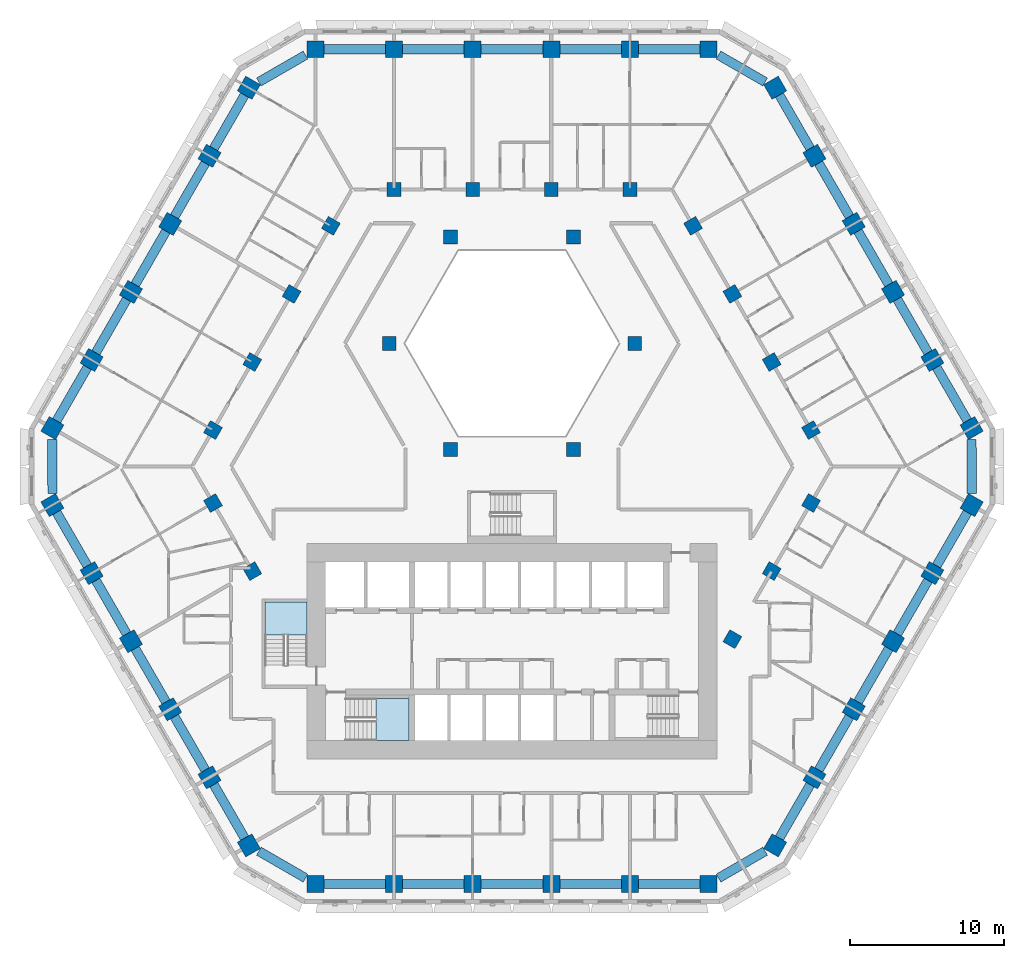
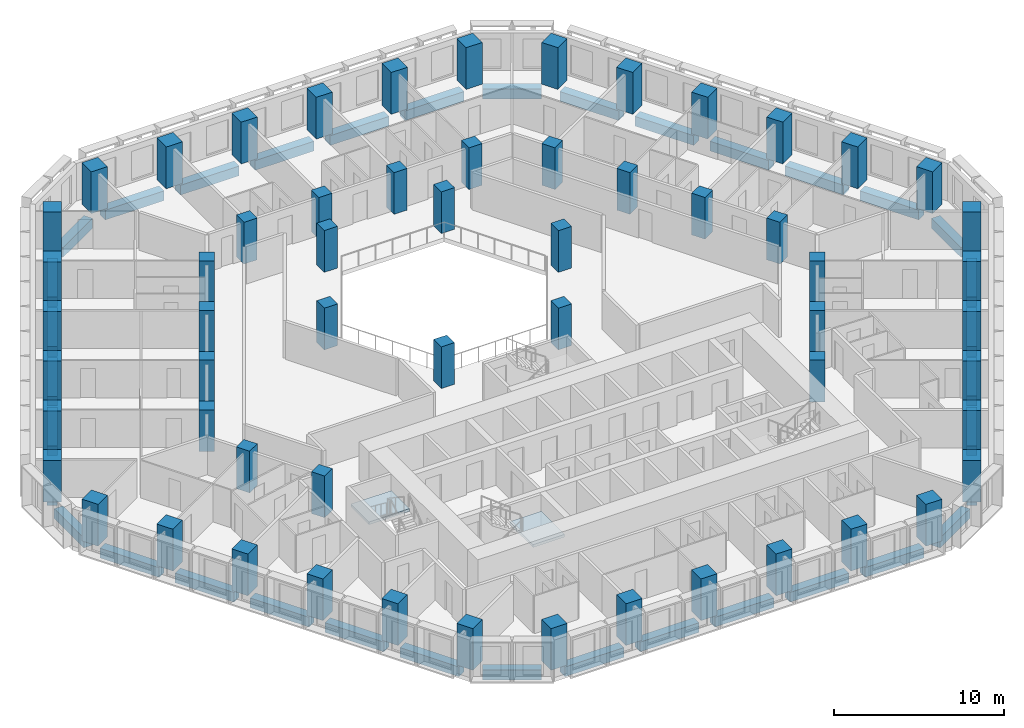
# One storey, part 1 of 21: 59 columns, 36 beams, 2 slabs, 2 elements without a shape of their own.
"""IFC4 building model written with IfcOpenShell, lengths in metres."""

from ifc_helpers import new_model, si_unit, direction, frame, origin, origin_2d, place, context, subcontext, project, spatial, polyline, rectangle, outline, extrude, material, layer, layer_set, material_profile, profile_set, type_object, element, aggregate, save


model = new_model("IFC4")

# Units and contexts
model_context = context("Model", 3, precision=1e-05, world=origin(), true_north=direction((0.0, 1.0)))
body_context = subcontext(model_context, "Body", "Model", "MODEL_VIEW")
ifc_project = project(units=[si_unit("LENGTHUNIT", "METRE"), si_unit("AREAUNIT", "SQUARE_METRE"), si_unit("VOLUMEUNIT", "CUBIC_METRE"), si_unit("PLANEANGLEUNIT", "RADIAN"), si_unit("MASSUNIT", "GRAM", prefix="KILO")], contexts=[model_context])

# Site, building, storey
site_placement = place(None, origin())
site = spatial("IfcSite", under=ifc_project, at=site_placement, CompositionType="ELEMENT")
building_placement = place(site_placement, origin())
building = spatial("IfcBuilding", under=site, at=building_placement, Name="Beryl Residences", CompositionType="ELEMENT")
storey_placement = place(building_placement, frame((0.0, 0.0, 29.39990234375)))
storey = spatial("IfcBuildingStorey", under=building, at=storey_placement, Name="L08", CompositionType="ELEMENT", Elevation=29.39990234375)

# Columns
ifc_material_1 = material(Name="Concrete C80/95", Category="concrete")
ifc_material_profile_1 = material_profile(ifc_material_1, rectangle(XDim=1.10009765625, YDim=1.10009765625, at=origin_2d()))
ifc_profile_set_1 = profile_set([ifc_material_profile_1], Name="Concrete C80/95")
column_type_1 = type_object("IfcColumnType", Name="C1 tube column 1100 x 1100 C80/95", PredefinedType="COLUMN", material=ifc_profile_set_1)
for number, where, z_axis, x_axis, name in (
    (1, (12.759033203125, 27.10009765625, 0.0), (0.0, 0.0, 1.0), (-1.0, 0.0, 0.0), "C1-N1 L08"),
    (2, (7.655029296875, 27.10009765625, 0.0), (0.0, 0.0, 1.0), (-1.0, 0.0, 0.0), "C1-N2 L08"),
    (3, (2.551025390625, 27.10009765625, 0.0), (0.0, 0.0, 1.0), (-1.0, 0.0, 0.0), "C1-N3 L08"),
    (4, (-2.552978515625, 27.10009765625, 0.0), (0.0, 0.0, 1.0), (-1.0, 0.0, 0.0), "C1-N4 L08"),
    (5, (-7.656982421875, 27.10009765625, 0.0), (0.0, 0.0, 1.0), (-1.0, 0.0, 0.0), "C1-N5 L08"),
    (6, (-12.760986328125, 27.10009765625, 0.0), (0.0, 0.0, 1.0), (-1.0, 0.0, 0.0), "C1-N6 L08"),
    (7, (-17.090087890625, 24.60009765625, 0.0), (0.0, 0.0, 1.0), (-0.499984884929, -0.866034130299, 0.0), "C1-NW1 L08"),
    (8, (-19.64208984375, 20.179931640625, 0.0), (0.0, 0.0, 1.0), (-0.499984884929, -0.866034130299, 0.0), "C1-NW2 L08"),
    (9, (-22.194091796875, 15.759033203125, 0.0), (0.0, 0.0, 1.0), (-0.499984884929, -0.866034130299, 0.0), "C1-NW3 L08"),
    (10, (-24.74609375, 11.339111328125, 0.0), (0.0, 0.0, 1.0), (-0.499984884929, -0.866034130299, 0.0), "C1-NW4 L08"),
    (11, (-27.298095703125, 6.9189453125, 0.0), (0.0, 0.0, 1.0), (-0.499984884929, -0.866034130299, 0.0), "C1-NW5 L08"),
    (12, (-29.84912109375, 2.4990234375, 0.0), (0.0, 0.0, 1.0), (-0.499984884929, -0.866034130299, 0.0), "C1-NW6 L08"),
    (13, (-29.847900390625, -2.5, 0.0), (0.0, 0.0, 1.0), (0.499984884929, -0.866034130299, 0.0), "C1-SW1 L08"),
    (14, (-27.297119140625, -6.9208984375, 0.0), (0.0, 0.0, 1.0), (0.499984884929, -0.866034130299, 0.0), "C1-SW2 L08"),
    (15, (-24.7451171875, -11.341064453125, 0.0), (0.0, 0.0, 1.0), (0.499984884929, -0.866034130299, 0.0), "C1-SW3 L08"),
    (16, (-22.193115234375, -15.760986328125, 0.0), (0.0, 0.0, 1.0), (0.499984884929, -0.866034130299, 0.0), "C1-SW4 L08"),
    (17, (-19.64111328125, -20.180908203125, 0.0), (0.0, 0.0, 1.0), (0.499984884929, -0.866034130299, 0.0), "C1-SW5 L08"),
    (18, (-17.089111328125, -24.60107421875, 0.0), (0.0, 0.0, 1.0), (0.499984884929, -0.866034130299, 0.0), "C1-SW6 L08"),
    (19, (-12.759033203125, -27.10009765625, 0.0), (0.0, 0.0, 1.0), (1.0, 0.0, 0.0), "C1-S1 L08"),
    (20, (-7.655029296875, -27.10009765625, 0.0), (0.0, 0.0, 1.0), (1.0, 0.0, 0.0), "C1-S2 L08"),
    (21, (-2.551025390625, -27.10009765625, 0.0), (0.0, 0.0, 1.0), (1.0, 0.0, 0.0), "C1-S3 L08"),
    (22, (2.552978515625, -27.10009765625, 0.0), (0.0, 0.0, 1.0), (1.0, 0.0, 0.0), "C1-S4 L08"),
    (23, (7.656982421875, -27.10009765625, 0.0), (0.0, 0.0, 1.0), (1.0, 0.0, 0.0), "C1-S5 L08"),
    (24, (12.760986328125, -27.10009765625, 0.0), (0.0, 0.0, 1.0), (1.0, 0.0, 0.0), "C1-S6 L08"),
    (25, (17.090087890625, -24.60009765625, 0.0), (0.0, 0.0, 1.0), (0.499984884929, 0.866034130299, 0.0), "C1-SE1 L08"),
    (26, (19.64208984375, -20.179931640625, 0.0), (0.0, 0.0, 1.0), (0.499984884929, 0.866034130299, 0.0), "C1-SE2 L08"),
    (27, (22.194091796875, -15.759033203125, 0.0), (0.0, 0.0, 1.0), (0.499984884929, 0.866034130299, 0.0), "C1-SE3 L08"),
    (28, (24.74609375, -11.339111328125, 0.0), (0.0, 0.0, 1.0), (0.499984884929, 0.866034130299, 0.0), "C1-SE4 L08"),
    (29, (27.298095703125, -6.9189453125, 0.0), (0.0, 0.0, 1.0), (0.499984884929, 0.866034130299, 0.0), "C1-SE5 L08"),
    (30, (29.84912109375, -2.4990234375, 0.0), (0.0, 0.0, 1.0), (0.499984884929, 0.866034130299, 0.0), "C1-SE6 L08"),
    (31, (29.847900390625, 2.5, 0.0), (0.0, 0.0, 1.0), (-0.499984884929, 0.866034130299, 0.0), "C1-NE1 L08"),
    (32, (27.297119140625, 6.9208984375, 0.0), (0.0, 0.0, 1.0), (-0.499984884929, 0.866034130299, 0.0), "C1-NE2 L08"),
    (33, (24.7451171875, 11.341064453125, 0.0), (0.0, 0.0, 1.0), (-0.499984884929, 0.866034130299, 0.0), "C1-NE3 L08"),
    (34, (22.193115234375, 15.760986328125, 0.0), (0.0, 0.0, 1.0), (-0.499984884929, 0.866034130299, 0.0), "C1-NE4 L08"),
    (35, (19.64111328125, 20.180908203125, 0.0), (0.0, 0.0, 1.0), (-0.499984884929, 0.866034130299, 0.0), "C1-NE5 L08"),
    (36, (17.089111328125, 24.60107421875, 0.0), (0.0, 0.0, 1.0), (-0.499984884929, 0.866034130299, 0.0), "C1-NE6 L08"),
):
    element("IfcColumn", number, at=place(storey_placement, frame(where, z_axis=z_axis, x_axis=x_axis)), inside=storey, type_object=column_type_1, Name=name, PredefinedType="COLUMN", context=body_context, shape_type="SweptSolid", body=[
        extrude(rectangle(XDim=1.10009765625, YDim=1.10009765625, at=origin_2d()), origin(), (0.0, 0.0, 1.0), 3.0),
    ])
ifc_material_2 = material(Name="Concrete C80/95", Category="concrete")
ifc_material_profile_2 = material_profile(ifc_material_2, rectangle(XDim=0.89990234375, YDim=0.89990234375, at=origin_2d()))
ifc_profile_set_2 = profile_set([ifc_material_profile_2], Name="Concrete C80/95")
column_type_2 = type_object("IfcColumnType", Name="IC1 interior column 900 x 900 C80/95", PredefinedType="COLUMN", material=ifc_profile_set_2)
for number, where, z_axis, x_axis, name in (
    (37, (-19.416015625, -2.37109375, 0.0), (0.0, 0.0, 1.0), (0.499984884929, -0.866034130299, 0.0), "IC1-M01 L08"),
    (38, (-16.864013671875, -6.791015625, 0.0), (0.0, 0.0, 1.0), (0.499984884929, -0.866034130299, 0.0), "IC1-M02 L08"),
    (39, (14.31298828125, -11.208984375, 0.0), (0.0, 0.0, 1.0), (0.499984884929, 0.866034130299, 0.0), "IC1-M03 L08"),
    (40, (16.864990234375, -6.7890625, 0.0), (0.0, 0.0, 1.0), (0.499984884929, 0.866034130299, 0.0), "IC1-M04 L08"),
    (41, (19.4169921875, -2.368896484375, 0.0), (0.0, 0.0, 1.0), (0.499984884929, 0.866034130299, 0.0), "IC1-M05 L08"),
    (42, (19.416015625, 2.37109375, 0.0), (0.0, 0.0, 1.0), (-0.499984884929, 0.866034130299, 0.0), "IC1-M06 L08"),
    (43, (3.98388671875, 1.10009765625, 0.0), (0.0, 0.0, 1.0), (1.0, 0.0, 0.0), "IC1-A07 L08"),
    (44, (16.864013671875, 6.791015625, 0.0), (0.0, 0.0, 1.0), (-0.499984884929, 0.866034130299, 0.0), "IC1-M08 L08"),
    (45, (14.31201171875, 11.2109375, 0.0), (0.0, 0.0, 1.0), (-0.499984884929, 0.866034130299, 0.0), "IC1-M09 L08"),
    (46, (7.967041015625, 8.0, 0.0), (0.0, 0.0, 1.0), (1.0, 0.0, 0.0), "IC1-A10 L08"),
    (47, (11.760009765625, 15.631103515625, 0.0), (0.0, 0.0, 1.0), (-0.499984884929, 0.866034130299, 0.0), "IC1-M11 L08"),
    (48, (7.655029296875, 18.0, 0.0), (0.0, 0.0, 1.0), (-1.0, 0.0, 0.0), "IC1-M12 L08"),
    (49, (3.98388671875, 14.89990234375, 0.0), (0.0, 0.0, 1.0), (1.0, 0.0, 0.0), "IC1-A13 L08"),
    (50, (2.551025390625, 18.0, 0.0), (0.0, 0.0, 1.0), (-1.0, 0.0, 0.0), "IC1-M14 L08"),
    (51, (-2.552978515625, 18.0, 0.0), (0.0, 0.0, 1.0), (-1.0, 0.0, 0.0), "IC1-M15 L08"),
    (52, (-3.98388671875, 14.89990234375, 0.0), (0.0, 0.0, 1.0), (1.0, 0.0, 0.0), "IC1-A16 L08"),
    (53, (-7.656982421875, 18.0, 0.0), (0.0, 0.0, 1.0), (-1.0, 0.0, 0.0), "IC1-M17 L08"),
    (54, (-11.760986328125, 15.6298828125, 0.0), (0.0, 0.0, 1.0), (-0.499984884929, -0.866034130299, 0.0), "IC1-M18 L08"),
    (55, (-7.967041015625, 8.0, 0.0), (0.0, 0.0, 1.0), (1.0, 0.0, 0.0), "IC1-A19 L08"),
    (56, (-14.31298828125, 11.208984375, 0.0), (0.0, 0.0, 1.0), (-0.499984884929, -0.866034130299, 0.0), "IC1-M20 L08"),
    (57, (-16.864990234375, 6.7890625, 0.0), (0.0, 0.0, 1.0), (-0.499984884929, -0.866034130299, 0.0), "IC1-M21 L08"),
    (58, (-3.98388671875, 1.10009765625, 0.0), (0.0, 0.0, 1.0), (1.0, 0.0, 0.0), "IC1-A22 L08"),
    (59, (-19.4169921875, 2.368896484375, 0.0), (0.0, 0.0, 1.0), (-0.499984884929, -0.866034130299, 0.0), "IC1-M23 L08"),
):
    element("IfcColumn", number, at=place(storey_placement, frame(where, z_axis=z_axis, x_axis=x_axis)), inside=storey, type_object=column_type_2, Name=name, PredefinedType="COLUMN", context=body_context, shape_type="SweptSolid", body=[
        extrude(rectangle(XDim=0.89990234375, YDim=0.89990234375, at=origin_2d()), origin(), (0.0, 0.0, 1.0), 3.0),
    ])

# Beams
ifc_material_3 = material(Name="Concrete C80/95", Category="concrete")
ifc_material_profile_3 = material_profile(ifc_material_3, rectangle(XDim=0.60009765625, YDim=0.699951171875, at=origin_2d()))
ifc_profile_set_3 = profile_set([ifc_material_profile_3], Name="Concrete C80/95")
beam_type = type_object("IfcBeamType", Name="SB1 spandrel beam 600 x 700 C80/95", PredefinedType="SPANDREL", material=ifc_profile_set_3)
for number, where, z_axis, x_axis, name in (
    (60, (12.208984375, 27.10009765625, -0.64990234375), (-1.0, 0.0, 0.0), (0.0, -1.0, 0.0), "SB1 L08 N-0"),
    (61, (7.10498046875, 27.10009765625, -0.64990234375), (-1.0, 0.0, 0.0), (0.0, -1.0, 0.0), "SB1 L08 N-1"),
    (62, (2.0009765625, 27.10009765625, -0.64990234375), (-1.0, 0.0, 0.0), (0.0, -1.0, 0.0), "SB1 L08 N-2"),
    (63, (-3.10302734375, 27.10009765625, -0.64990234375), (-1.0, 0.0, 0.0), (0.0, -1.0, 0.0), "SB1 L08 N-3"),
    (64, (-8.20703125, 27.10009765625, -0.64990234375), (-1.0, 0.0, 0.0), (0.0, -1.0, 0.0), "SB1 L08 N-4"),
):
    element("IfcBeam", number, at=place(storey_placement, frame(where, z_axis=z_axis, x_axis=x_axis)), inside=storey, type_object=beam_type, Name=name, PredefinedType="SPANDREL", context=body_context, shape_type="SweptSolid", body=[
        extrude(rectangle(XDim=0.60009765625, YDim=0.699951171875, at=origin_2d()), origin(), (0.0, 0.0, 1.0), 4.00390625),
    ])
beam_1_placement = place(storey_placement, frame((-13.410888671875, 26.72412109375, -0.64990234375), z_axis=(-0.866121658299, -0.499833245218, 0.0), x_axis=(0.499833245218, -0.866121658299, 0.0)))
element("IfcBeam", 65, at=beam_1_placement, inside=storey, type_object=beam_type, Name="SB1 L08 N-5", PredefinedType="SPANDREL", context=body_context, shape_type="SweptSolid", body=[
    extrude(rectangle(XDim=0.60009765625, YDim=0.699951171875, at=origin_2d()), origin(), (0.0, 0.0, 1.0), 3.497314453125),
])
beam_2_placement = place(storey_placement, frame((-17.364990234375, 24.1240234375, -0.64990234375), z_axis=(-0.499942357345, -0.866058681229, 0.0), x_axis=(0.866058681229, -0.499942357345, 0.0)))
element("IfcBeam", 66, at=beam_2_placement, inside=storey, type_object=beam_type, Name="SB1 L08 NW-0", PredefinedType="SPANDREL", context=body_context, shape_type="SweptSolid", body=[
    extrude(rectangle(XDim=0.60009765625, YDim=0.699951171875, at=origin_2d()), origin(), (0.0, 0.0, 1.0), 4.00439453125),
])
beam_3_placement = place(storey_placement, frame((-19.9169921875, 19.7041015625, -0.64990234375), z_axis=(-0.499836783367, -0.866119616446, 0.0), x_axis=(0.866119616446, -0.499836783367, 0.0)))
element("IfcBeam", 67, at=beam_3_placement, inside=storey, type_object=beam_type, Name="SB1 L08 NW-1", PredefinedType="SPANDREL", context=body_context, shape_type="SweptSolid", body=[
    extrude(rectangle(XDim=0.60009765625, YDim=0.699951171875, at=origin_2d()), origin(), (0.0, 0.0, 1.0), 4.005126953125),
])
for number, where, z_axis, x_axis, name in (
    (68, (-22.468994140625, 15.282958984375, -0.64990234375), (-0.499942357345, -0.866058681229, 0.0), (0.866058681229, -0.499942357345, 0.0), "SB1 L08 NW-2"),
    (69, (-25.02099609375, 10.863037109375, -0.64990234375), (-0.499942357345, -0.866058681229, 0.0), (0.866058681229, -0.499942357345, 0.0), "SB1 L08 NW-3"),
):
    element("IfcBeam", number, at=place(storey_placement, frame(where, z_axis=z_axis, x_axis=x_axis)), inside=storey, type_object=beam_type, Name=name, PredefinedType="SPANDREL", context=body_context, shape_type="SweptSolid", body=[
        extrude(rectangle(XDim=0.60009765625, YDim=0.699951171875, at=origin_2d()), origin(), (0.0, 0.0, 1.0), 4.00439453125),
    ])
beam_4_placement = place(storey_placement, frame((-27.572998046875, 6.443115234375, -0.64990234375), z_axis=(-0.499759404093, -0.866164267342, 0.0), x_axis=(0.866164267342, -0.499759404093, 0.0)))
element("IfcBeam", 70, at=beam_4_placement, inside=storey, type_object=beam_type, Name="SB1 L08 NW-4", PredefinedType="SPANDREL", context=body_context, shape_type="SweptSolid", body=[
    extrude(rectangle(XDim=0.60009765625, YDim=0.699951171875, at=origin_2d()), origin(), (0.0, 0.0, 1.0), 4.00390625),
])
beam_5_placement = place(storey_placement, frame((-29.84912109375, 1.748046875, -0.64990234375), z_axis=(0.000349064486, -0.999999939077, 0.0), x_axis=(0.999999939077, 0.000349064486, 0.0)))
element("IfcBeam", 71, at=beam_5_placement, inside=storey, type_object=beam_type, Name="SB1 L08 NW-5", PredefinedType="SPANDREL", context=body_context, shape_type="SweptSolid", body=[
    extrude(rectangle(XDim=0.60009765625, YDim=0.699951171875, at=origin_2d()), origin(), (0.0, 0.0, 1.0), 3.4970703125),
])
beam_6_placement = place(storey_placement, frame((-29.572998046875, -2.97607421875, -0.64990234375), z_axis=(0.499653843024, -0.866225165388, 0.0), x_axis=(0.866225165388, 0.499653843024, 0.0)))
element("IfcBeam", 72, at=beam_6_placement, inside=storey, type_object=beam_type, Name="SB1 L08 SW-0", PredefinedType="SPANDREL", context=body_context, shape_type="SweptSolid", body=[
    extrude(rectangle(XDim=0.60009765625, YDim=0.699951171875, at=origin_2d()), origin(), (0.0, 0.0, 1.0), 4.004638671875),
])
for number, where, z_axis, x_axis, name in (
    (73, (-27.02197265625, -7.39697265625, -0.64990234375), (0.499942357345, -0.866058681229, 0.0), (0.866058681229, 0.499942357345, 0.0), "SB1 L08 SW-1"),
    (74, (-24.469970703125, -11.81689453125, -0.64990234375), (0.499942357345, -0.866058681229, 0.0), (0.866058681229, 0.499942357345, 0.0), "SB1 L08 SW-2"),
    (75, (-21.91796875, -16.237060546875, -0.64990234375), (0.499942357345, -0.866058681229, 0.0), (0.866058681229, 0.499942357345, 0.0), "SB1 L08 SW-3"),
    (76, (-19.365966796875, -20.656982421875, -0.64990234375), (0.499942357345, -0.866058681229, 0.0), (0.866058681229, 0.499942357345, 0.0), "SB1 L08 SW-4"),
):
    element("IfcBeam", number, at=place(storey_placement, frame(where, z_axis=z_axis, x_axis=x_axis)), inside=storey, type_object=beam_type, Name=name, PredefinedType="SPANDREL", context=body_context, shape_type="SweptSolid", body=[
        extrude(rectangle(XDim=0.60009765625, YDim=0.699951171875, at=origin_2d()), origin(), (0.0, 0.0, 1.0), 4.00439453125),
    ])
beam_7_placement = place(storey_placement, frame((-16.43896484375, -24.97607421875, -0.64990234375), z_axis=(0.866070549782, -0.499921796684, 0.0), x_axis=(0.499921796684, 0.866070549782, 0.0)))
element("IfcBeam", 77, at=beam_7_placement, inside=storey, type_object=beam_type, Name="SB1 L08 SW-5", PredefinedType="SPANDREL", context=body_context, shape_type="SweptSolid", body=[
    extrude(rectangle(XDim=0.60009765625, YDim=0.699951171875, at=origin_2d()), origin(), (0.0, 0.0, 1.0), 3.49853515625),
])
for number, where, z_axis, x_axis, name in (
    (78, (-12.208984375, -27.10009765625, -0.64990234375), (1.0, 0.0, 0.0), (0.0, 1.0, 0.0), "SB1 L08 S-0"),
    (79, (-7.10498046875, -27.10009765625, -0.64990234375), (1.0, 0.0, 0.0), (0.0, 1.0, 0.0), "SB1 L08 S-1"),
    (80, (-2.0009765625, -27.10009765625, -0.64990234375), (1.0, 0.0, 0.0), (0.0, 1.0, 0.0), "SB1 L08 S-2"),
    (81, (3.10302734375, -27.10009765625, -0.64990234375), (1.0, 0.0, 0.0), (0.0, 1.0, 0.0), "SB1 L08 S-3"),
    (82, (8.20703125, -27.10009765625, -0.64990234375), (1.0, 0.0, 0.0), (0.0, 1.0, 0.0), "SB1 L08 S-4"),
):
    element("IfcBeam", number, at=place(storey_placement, frame(where, z_axis=z_axis, x_axis=x_axis)), inside=storey, type_object=beam_type, Name=name, PredefinedType="SPANDREL", context=body_context, shape_type="SweptSolid", body=[
        extrude(rectangle(XDim=0.60009765625, YDim=0.699951171875, at=origin_2d()), origin(), (0.0, 0.0, 1.0), 4.00390625),
    ])
beam_8_placement = place(storey_placement, frame((13.410888671875, -26.72412109375, -0.64990234375), z_axis=(0.866121658299, 0.499833245218, 0.0), x_axis=(-0.499833245218, 0.866121658299, 0.0)))
element("IfcBeam", 83, at=beam_8_placement, inside=storey, type_object=beam_type, Name="SB1 L08 S-5", PredefinedType="SPANDREL", context=body_context, shape_type="SweptSolid", body=[
    extrude(rectangle(XDim=0.60009765625, YDim=0.699951171875, at=origin_2d()), origin(), (0.0, 0.0, 1.0), 3.497314453125),
])
beam_9_placement = place(storey_placement, frame((17.364990234375, -24.1240234375, -0.64990234375), z_axis=(0.499942357345, 0.866058681229, 0.0), x_axis=(-0.866058681229, 0.499942357345, 0.0)))
element("IfcBeam", 84, at=beam_9_placement, inside=storey, type_object=beam_type, Name="SB1 L08 SE-0", PredefinedType="SPANDREL", context=body_context, shape_type="SweptSolid", body=[
    extrude(rectangle(XDim=0.60009765625, YDim=0.699951171875, at=origin_2d()), origin(), (0.0, 0.0, 1.0), 4.00439453125),
])
beam_10_placement = place(storey_placement, frame((19.9169921875, -19.7041015625, -0.64990234375), z_axis=(0.499836783367, 0.866119616446, 0.0), x_axis=(-0.866119616446, 0.499836783367, 0.0)))
element("IfcBeam", 85, at=beam_10_placement, inside=storey, type_object=beam_type, Name="SB1 L08 SE-1", PredefinedType="SPANDREL", context=body_context, shape_type="SweptSolid", body=[
    extrude(rectangle(XDim=0.60009765625, YDim=0.699951171875, at=origin_2d()), origin(), (0.0, 0.0, 1.0), 4.005126953125),
])
for number, where, z_axis, x_axis, name in (
    (86, (22.468994140625, -15.282958984375, -0.64990234375), (0.499942357345, 0.866058681229, 0.0), (-0.866058681229, 0.499942357345, 0.0), "SB1 L08 SE-2"),
    (87, (25.02099609375, -10.863037109375, -0.64990234375), (0.499942357345, 0.866058681229, 0.0), (-0.866058681229, 0.499942357345, 0.0), "SB1 L08 SE-3"),
):
    element("IfcBeam", number, at=place(storey_placement, frame(where, z_axis=z_axis, x_axis=x_axis)), inside=storey, type_object=beam_type, Name=name, PredefinedType="SPANDREL", context=body_context, shape_type="SweptSolid", body=[
        extrude(rectangle(XDim=0.60009765625, YDim=0.699951171875, at=origin_2d()), origin(), (0.0, 0.0, 1.0), 4.00439453125),
    ])
beam_11_placement = place(storey_placement, frame((27.572998046875, -6.443115234375, -0.64990234375), z_axis=(0.499759404093, 0.866164267342, 0.0), x_axis=(-0.866164267342, 0.499759404093, 0.0)))
element("IfcBeam", 88, at=beam_11_placement, inside=storey, type_object=beam_type, Name="SB1 L08 SE-4", PredefinedType="SPANDREL", context=body_context, shape_type="SweptSolid", body=[
    extrude(rectangle(XDim=0.60009765625, YDim=0.699951171875, at=origin_2d()), origin(), (0.0, 0.0, 1.0), 4.00390625),
])
beam_12_placement = place(storey_placement, frame((29.84912109375, -1.748046875, -0.64990234375), z_axis=(-0.000349064486, 0.999999939077, 0.0), x_axis=(-0.999999939077, -0.000349064486, 0.0)))
element("IfcBeam", 89, at=beam_12_placement, inside=storey, type_object=beam_type, Name="SB1 L08 SE-5", PredefinedType="SPANDREL", context=body_context, shape_type="SweptSolid", body=[
    extrude(rectangle(XDim=0.60009765625, YDim=0.699951171875, at=origin_2d()), origin(), (0.0, 0.0, 1.0), 3.4970703125),
])
beam_13_placement = place(storey_placement, frame((29.572998046875, 2.97607421875, -0.64990234375), z_axis=(-0.499653843024, 0.866225165388, 0.0), x_axis=(-0.866225165388, -0.499653843024, 0.0)))
element("IfcBeam", 90, at=beam_13_placement, inside=storey, type_object=beam_type, Name="SB1 L08 NE-0", PredefinedType="SPANDREL", context=body_context, shape_type="SweptSolid", body=[
    extrude(rectangle(XDim=0.60009765625, YDim=0.699951171875, at=origin_2d()), origin(), (0.0, 0.0, 1.0), 4.004638671875),
])
for number, where, z_axis, x_axis, name in (
    (91, (27.02197265625, 7.39697265625, -0.64990234375), (-0.499942357345, 0.866058681229, 0.0), (-0.866058681229, -0.499942357345, 0.0), "SB1 L08 NE-1"),
    (92, (24.469970703125, 11.81689453125, -0.64990234375), (-0.499942357345, 0.866058681229, 0.0), (-0.866058681229, -0.499942357345, 0.0), "SB1 L08 NE-2"),
    (93, (21.91796875, 16.237060546875, -0.64990234375), (-0.499942357345, 0.866058681229, 0.0), (-0.866058681229, -0.499942357345, 0.0), "SB1 L08 NE-3"),
    (94, (19.365966796875, 20.656982421875, -0.64990234375), (-0.499942357345, 0.866058681229, 0.0), (-0.866058681229, -0.499942357345, 0.0), "SB1 L08 NE-4"),
):
    element("IfcBeam", number, at=place(storey_placement, frame(where, z_axis=z_axis, x_axis=x_axis)), inside=storey, type_object=beam_type, Name=name, PredefinedType="SPANDREL", context=body_context, shape_type="SweptSolid", body=[
        extrude(rectangle(XDim=0.60009765625, YDim=0.699951171875, at=origin_2d()), origin(), (0.0, 0.0, 1.0), 4.00439453125),
    ])
beam_14_placement = place(storey_placement, frame((16.43896484375, 24.97607421875, -0.64990234375), z_axis=(-0.866070549782, 0.499921796684, 0.0), x_axis=(-0.499921796684, -0.866070549782, 0.0)))
element("IfcBeam", 95, at=beam_14_placement, inside=storey, type_object=beam_type, Name="SB1 L08 NE-5", PredefinedType="SPANDREL", context=body_context, shape_type="SweptSolid", body=[
    extrude(rectangle(XDim=0.60009765625, YDim=0.699951171875, at=origin_2d()), origin(), (0.0, 0.0, 1.0), 3.49853515625),
])

# Stair, slab
ifc_material_4 = material(Name="Concrete C40/50", Category="concrete")
stair_type = type_object("IfcStairType", Name="ST1 protected exit stair, half-turn, 1300 mm flights", PredefinedType="HALF_TURN_STAIR", material=ifc_material_4)
stair_1_placement = place(storey_placement, origin())
stair_1 = element("IfcStair", 96, at=stair_1_placement, inside=storey, type_object=stair_type, Name="L08 PROTECTED EXIT STAIR ST-1", PredefinedType="HALF_TURN_STAIR")
ifc_material_5 = material(Name="Concrete C40/50", Category="concrete")
ifc_layer = layer(ifc_material_5, 0.199951171875)
ifc_layer_set = layer_set([ifc_layer], Name="SLD1 stair landing 200 mm")
slab_type = type_object("IfcSlabType", Name="SLD1 stair landing 200 mm", PredefinedType="LANDING", material=ifc_layer_set)
slab_1_placement = place(storey_placement, frame((0.0, 0.0, 1.300048828125)))
slab_1 = element("IfcSlab", 97, at=slab_1_placement, type_object=slab_type, Name="ST-1 landing 1", PredefinedType="LANDING", context=body_context, shape_type="SweptSolid", body=[
    extrude(outline(polyline([(-8.840087890625, -17.800048828125), (-6.699951171875, -17.800048828125), (-6.699951171875, -15.050048828125), (-8.840087890625, -15.050048828125), (-8.840087890625, -17.800048828125)])), origin(), (0.0, 0.0, 1.0), 0.199951171875),
])
aggregate(stair_1, [slab_1])

stair_2_placement = place(storey_placement, origin())
stair_2 = element("IfcStair", 98, at=stair_2_placement, inside=storey, type_object=stair_type, Name="L08 PROTECTED EXIT STAIR ST-2", PredefinedType="HALF_TURN_STAIR")
slab_2_placement = place(storey_placement, frame((0.0, 0.0, 1.300048828125)))
slab_2 = element("IfcSlab", 99, at=slab_2_placement, type_object=slab_type, Name="ST-2 landing 1", PredefinedType="LANDING", context=body_context, shape_type="SweptSolid", body=[
    extrude(outline(polyline([(-13.300048828125, -10.93994140625), (-13.300048828125, -8.800048828125), (-16.050048828125, -8.800048828125), (-16.050048828125, -10.93994140625), (-13.300048828125, -10.93994140625)])), origin(), (0.0, 0.0, 1.0), 0.199951171875),
])
aggregate(stair_2, [slab_2])

save(model, "model.ifc")
